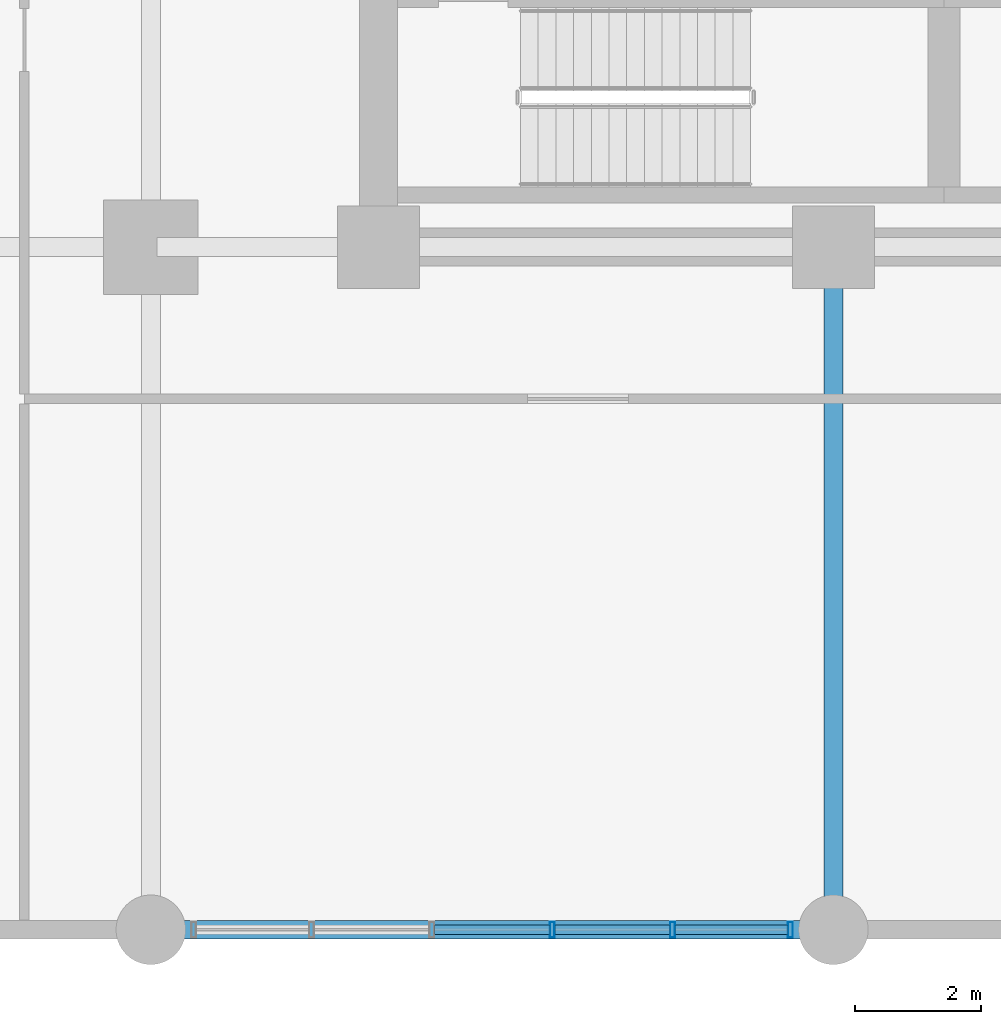
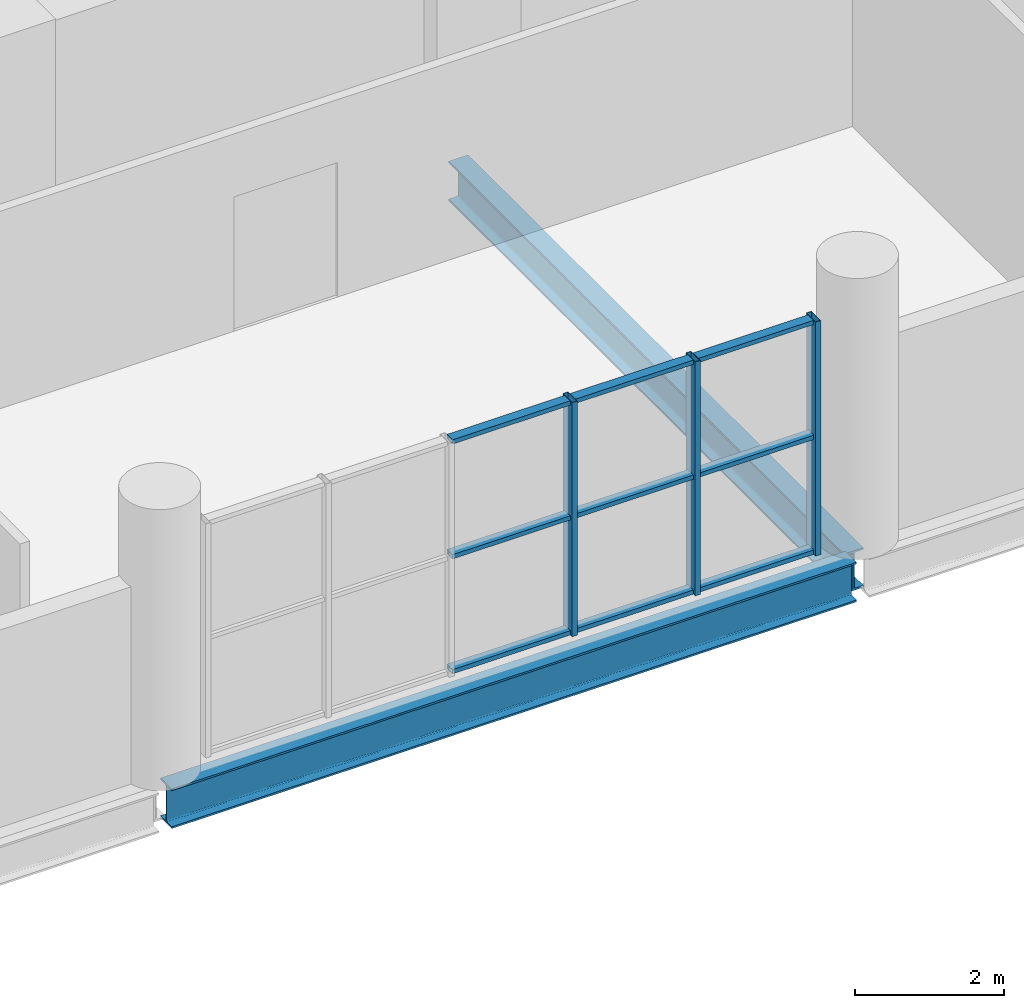
# One storey, part 3 of 16: 12 members, 2 beams, 1 element without a shape of its own.
"""IFC4 building model written with IfcOpenShell, lengths in metres."""

from ifc_helpers import new_model, si_unit, direction, frame, origin, origin_2d, place, context, subcontext, project, spatial, hollow_rectangle, i_section, extrude, material, layer, layer_set, material_profile, profile_set, type_object, element, aggregate, save


model = new_model("IFC4")

# Units and contexts
model_context = context("Model", 3, precision=1e-05, world=origin(), true_north=direction((0.0, 1.0)))
body_context = subcontext(model_context, "Body", "Model", "MODEL_VIEW")
ifc_project = project(units=[si_unit("LENGTHUNIT", "METRE"), si_unit("AREAUNIT", "SQUARE_METRE"), si_unit("VOLUMEUNIT", "CUBIC_METRE"), si_unit("PLANEANGLEUNIT", "RADIAN"), si_unit("MASSUNIT", "GRAM", prefix="KILO")], contexts=[model_context])

# Site, building, storey
site_placement = place(None, origin())
site = spatial("IfcSite", under=ifc_project, at=site_placement, CompositionType="ELEMENT")
building_placement = place(site_placement, origin())
building = spatial("IfcBuilding", under=site, at=building_placement, Name="Solnavia Interchange Tower", CompositionType="ELEMENT")
storey_placement = place(building_placement, frame((0.0, 0.0, 10.199951171875)))
storey = spatial("IfcBuildingStorey", under=building, at=storey_placement, Name="L02", CompositionType="ELEMENT", Elevation=10.199951171875)

# Beams
ifc_material_1 = material(Name="Steel S460", Category="steel")
ifc_material_profile_1 = material_profile(ifc_material_1, i_section(OverallWidth=0.300048828125, OverallDepth=0.64990234375, WebThickness=0.01611328125, FlangeThickness=0.031005859375, FilletRadius=0.027099609375, at=origin_2d()), Name="HEB 650")
ifc_profile_set_1 = profile_set([ifc_material_profile_1], Name="Steel S460")
beam_type = type_object("IfcBeamType", Name="Beam-Girder-HEB650", PredefinedType="BEAM", material=ifc_profile_set_1)
beam_1_placement = place(storey_placement, frame((10.89990234375, 0.0, -0.625), z_axis=(1.0, 0.0, 0.0), x_axis=(0.0, 1.0, 0.0)))
element("IfcBeam", 1, at=beam_1_placement, inside=storey, type_object=beam_type, Name="GRD-L02-02 Podium primary girder", PredefinedType="BEAM", context=body_context, shape_type="SweptSolid", body=[
    extrude(i_section(OverallWidth=0.300048828125, OverallDepth=0.64990234375, WebThickness=0.01611328125, FlangeThickness=0.031005859375, FilletRadius=0.027099609375, at=origin_2d()), origin(), (0.0, 0.0, 1.0), 10.60009765625),
])
beam_2_placement = place(storey_placement, frame((21.60009765625, 0.10009765625, -0.625), z_axis=(0.0, 1.0, 0.0), x_axis=(-1.0, 0.0, 0.0)))
element("IfcBeam", 2, at=beam_2_placement, inside=storey, type_object=beam_type, Name="GRD-L02-54 Podium primary girder", PredefinedType="BEAM", context=body_context, shape_type="SweptSolid", body=[
    extrude(i_section(OverallWidth=0.300048828125, OverallDepth=0.64990234375, WebThickness=0.01611328125, FlangeThickness=0.031005859375, FilletRadius=0.027099609375, at=origin_2d()), origin(), (0.0, 0.0, 1.0), 10.599853515625),
])

# Curtain wall, members
ifc_material_2 = material(Name="Aluminium Alloy 6063-T6", Category="aluminium")
ifc_layer = layer(ifc_material_2, 0.27001953125)
ifc_layer_set = layer_set([ifc_layer], Name="Aluminium Alloy 6063-T6")
curtain_wall_type = type_object("IfcCurtainWallType", Name="CurtainWall-Podium-CTW1", PredefinedType="NOTDEFINED", material=ifc_layer_set)
curtain_wall_placement = place(storey_placement, origin())
curtain_wall = element("IfcCurtainWall", 3, at=curtain_wall_placement, inside=storey, type_object=curtain_wall_type, Name="CTW-L02-S02 CTW-1 curtain wall", PredefinedType="NOTDEFINED")
ifc_material_profile_2 = material_profile(ifc_material_2, hollow_rectangle(XDim=0.080078125, YDim=0.25, WallThickness=0.006103515625, at=origin_2d()), Name="ALU 250x80x6")
ifc_profile_set_2 = profile_set([ifc_material_profile_2], Name="Aluminium Alloy 6063-T6")
member_type_1 = type_object("IfcMemberType", Name="CW-Mullion-CWM-1", PredefinedType="MULLION", material=ifc_profile_set_2)
member_1_placement = place(storey_placement, frame((20.919921875, 0.0, 0.0), z_axis=(0.0, 0.0, 1.0), x_axis=(-1.0, 0.0, 0.0)))
member_1 = element("IfcMember", 4, at=member_1_placement, type_object=member_type_1, Name="CTW-1 mullion 1", PredefinedType="MULLION", context=body_context, shape_type="SweptSolid", body=[
    extrude(hollow_rectangle(XDim=0.080078125, YDim=0.25, WallThickness=0.006103515625, at=origin_2d()), origin(), (0.0, 0.0, 1.0), 3.830078125),
])
member_2_placement = place(storey_placement, frame((19.055908203125, 0.0, 0.0), z_axis=(0.0, 0.0, 1.0), x_axis=(-1.0, 0.0, 0.0)))
member_2 = element("IfcMember", 5, at=member_2_placement, type_object=member_type_1, Name="CTW-1 mullion 2", PredefinedType="MULLION", context=body_context, shape_type="SweptSolid", body=[
    extrude(hollow_rectangle(XDim=0.080078125, YDim=0.25, WallThickness=0.006103515625, at=origin_2d()), origin(), (0.0, 0.0, 1.0), 3.830078125),
])
member_3_placement = place(storey_placement, frame((17.152099609375, 0.0, 0.0), z_axis=(0.0, 0.0, 1.0), x_axis=(-1.0, 0.0, 0.0)))
member_3 = element("IfcMember", 6, at=member_3_placement, type_object=member_type_1, Name="CTW-1 mullion 3", PredefinedType="MULLION", context=body_context, shape_type="SweptSolid", body=[
    extrude(hollow_rectangle(XDim=0.080078125, YDim=0.25, WallThickness=0.006103515625, at=origin_2d()), origin(), (0.0, 0.0, 1.0), 3.830078125),
])
ifc_material_profile_3 = material_profile(ifc_material_2, hollow_rectangle(XDim=0.070068359375, YDim=0.14990234375, WallThickness=0.00439453125, at=origin_2d()), Name="ALU 150x70x4.5")
ifc_profile_set_3 = profile_set([ifc_material_profile_3], Name="Aluminium Alloy 6063-T6")
member_type_2 = type_object("IfcMemberType", Name="CW-Transom-CWT-1", PredefinedType="USERDEFINED", material=ifc_profile_set_3)
member_4_placement = place(storey_placement, frame((20.8798828125, 0.0, 0.03515625), z_axis=(-1.0, 0.0, 0.0), x_axis=(0.0, 0.0, 1.0)))
member_4 = element("IfcMember", 7, at=member_4_placement, type_object=member_type_2, Name="CTW-1 transom 1.1", ObjectType="TRANSOM", PredefinedType="USERDEFINED", context=body_context, shape_type="SweptSolid", body=[
    extrude(hollow_rectangle(XDim=0.070068359375, YDim=0.14990234375, WallThickness=0.00439453125, at=origin_2d()), origin(), (0.0, 0.0, 1.0), 1.783935546875),
])
member_5_placement = place(storey_placement, frame((20.8798828125, 0.0, 1.9150390625), z_axis=(-1.0, 0.0, 0.0), x_axis=(0.0, 0.0, 1.0)))
member_5 = element("IfcMember", 8, at=member_5_placement, type_object=member_type_2, Name="CTW-1 transom 1.2", ObjectType="TRANSOM", PredefinedType="USERDEFINED", context=body_context, shape_type="SweptSolid", body=[
    extrude(hollow_rectangle(XDim=0.070068359375, YDim=0.14990234375, WallThickness=0.00439453125, at=origin_2d()), origin(), (0.0, 0.0, 1.0), 1.783935546875),
])
member_6_placement = place(storey_placement, frame((20.8798828125, 0.0, 3.795166015625), z_axis=(-1.0, 0.0, 0.0), x_axis=(0.0, 0.0, 1.0)))
member_6 = element("IfcMember", 9, at=member_6_placement, type_object=member_type_2, Name="CTW-1 transom 1.3", ObjectType="TRANSOM", PredefinedType="USERDEFINED", context=body_context, shape_type="SweptSolid", body=[
    extrude(hollow_rectangle(XDim=0.070068359375, YDim=0.14990234375, WallThickness=0.00439453125, at=origin_2d()), origin(), (0.0, 0.0, 1.0), 1.783935546875),
])
member_7_placement = place(storey_placement, frame((19.01611328125, 0.0, 0.03515625), z_axis=(-1.0, 0.0, 0.0), x_axis=(0.0, 0.0, 1.0)))
member_7 = element("IfcMember", 10, at=member_7_placement, type_object=member_type_2, Name="CTW-1 transom 2.1", ObjectType="TRANSOM", PredefinedType="USERDEFINED", context=body_context, shape_type="SweptSolid", body=[
    extrude(hollow_rectangle(XDim=0.070068359375, YDim=0.14990234375, WallThickness=0.00439453125, at=origin_2d()), origin(), (0.0, 0.0, 1.0), 1.82421875),
])
member_8_placement = place(storey_placement, frame((19.01611328125, 0.0, 1.9150390625), z_axis=(-1.0, 0.0, 0.0), x_axis=(0.0, 0.0, 1.0)))
member_8 = element("IfcMember", 11, at=member_8_placement, type_object=member_type_2, Name="CTW-1 transom 2.2", ObjectType="TRANSOM", PredefinedType="USERDEFINED", context=body_context, shape_type="SweptSolid", body=[
    extrude(hollow_rectangle(XDim=0.070068359375, YDim=0.14990234375, WallThickness=0.00439453125, at=origin_2d()), origin(), (0.0, 0.0, 1.0), 1.82421875),
])
member_9_placement = place(storey_placement, frame((19.01611328125, 0.0, 3.795166015625), z_axis=(-1.0, 0.0, 0.0), x_axis=(0.0, 0.0, 1.0)))
member_9 = element("IfcMember", 12, at=member_9_placement, type_object=member_type_2, Name="CTW-1 transom 2.3", ObjectType="TRANSOM", PredefinedType="USERDEFINED", context=body_context, shape_type="SweptSolid", body=[
    extrude(hollow_rectangle(XDim=0.070068359375, YDim=0.14990234375, WallThickness=0.00439453125, at=origin_2d()), origin(), (0.0, 0.0, 1.0), 1.82421875),
])
member_10_placement = place(storey_placement, frame((17.112060546875, 0.0, 0.03515625), z_axis=(-1.0, 0.0, 0.0), x_axis=(0.0, 0.0, 1.0)))
member_10 = element("IfcMember", 13, at=member_10_placement, type_object=member_type_2, Name="CTW-1 transom 3.1", ObjectType="TRANSOM", PredefinedType="USERDEFINED", context=body_context, shape_type="SweptSolid", body=[
    extrude(hollow_rectangle(XDim=0.070068359375, YDim=0.14990234375, WallThickness=0.00439453125, at=origin_2d()), origin(), (0.0, 0.0, 1.0), 1.823974609375),
])
member_11_placement = place(storey_placement, frame((17.112060546875, 0.0, 1.9150390625), z_axis=(-1.0, 0.0, 0.0), x_axis=(0.0, 0.0, 1.0)))
member_11 = element("IfcMember", 14, at=member_11_placement, type_object=member_type_2, Name="CTW-1 transom 3.2", ObjectType="TRANSOM", PredefinedType="USERDEFINED", context=body_context, shape_type="SweptSolid", body=[
    extrude(hollow_rectangle(XDim=0.070068359375, YDim=0.14990234375, WallThickness=0.00439453125, at=origin_2d()), origin(), (0.0, 0.0, 1.0), 1.823974609375),
])
member_12_placement = place(storey_placement, frame((17.112060546875, 0.0, 3.795166015625), z_axis=(-1.0, 0.0, 0.0), x_axis=(0.0, 0.0, 1.0)))
member_12 = element("IfcMember", 15, at=member_12_placement, type_object=member_type_2, Name="CTW-1 transom 3.3", ObjectType="TRANSOM", PredefinedType="USERDEFINED", context=body_context, shape_type="SweptSolid", body=[
    extrude(hollow_rectangle(XDim=0.070068359375, YDim=0.14990234375, WallThickness=0.00439453125, at=origin_2d()), origin(), (0.0, 0.0, 1.0), 1.823974609375),
])
aggregate(curtain_wall, [member_1, member_2, member_3, member_4, member_5, member_6, member_7, member_8, member_9, member_10, member_11, member_12])

save(model, "model.ifc")
